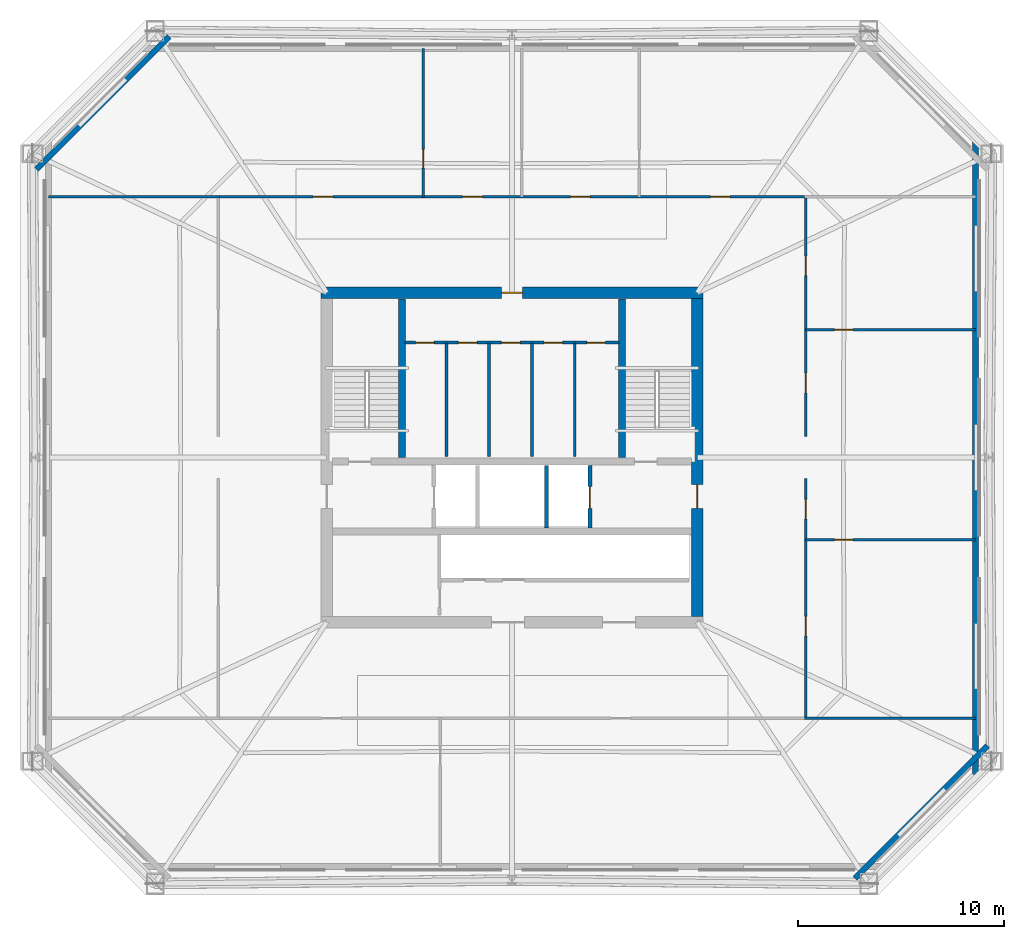
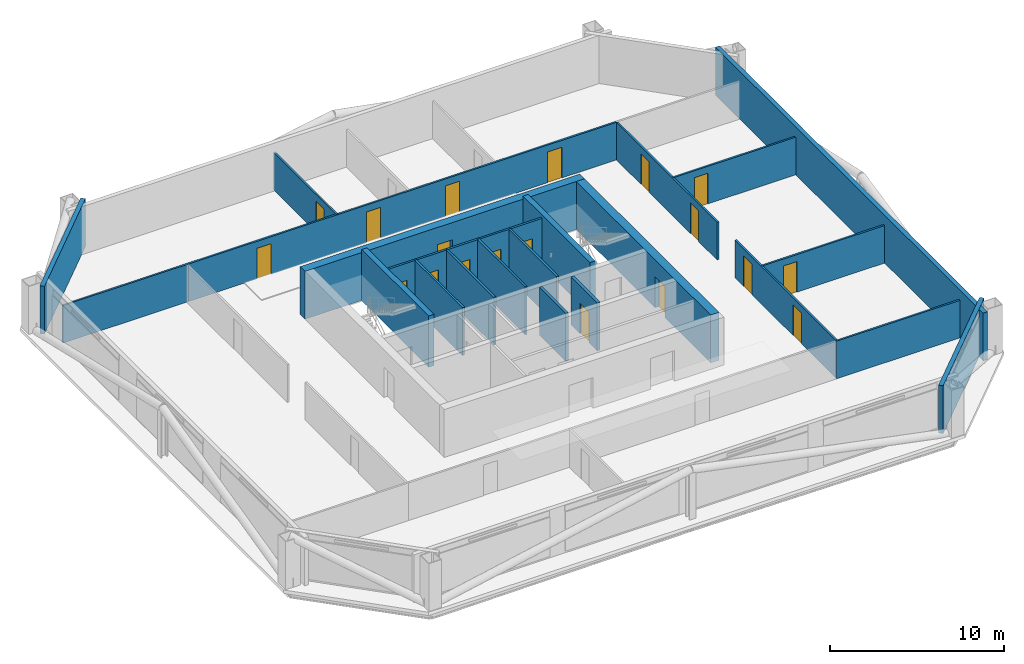
# One storey, part 3 of 6: 22 walls, 19 doors, 19 openings.
"""IFC4 building model written with IfcOpenShell, lengths in metres."""

from ifc_helpers import new_model, si_unit, direction, frame, frame_2d, origin, place, context, subcontext, project, spatial, rectangle, extrude, material, layer, layer_set, type_object, element, fill, save


model = new_model("IFC4")

# Units and contexts
model_context = context("Model", 3, precision=1e-05, world=origin(), true_north=direction((0.0, 1.0)))
body_context = subcontext(model_context, "Body", "Model", "MODEL_VIEW")
ifc_project = project(units=[si_unit("LENGTHUNIT", "METRE"), si_unit("AREAUNIT", "SQUARE_METRE"), si_unit("VOLUMEUNIT", "CUBIC_METRE"), si_unit("PLANEANGLEUNIT", "RADIAN"), si_unit("MASSUNIT", "GRAM", prefix="KILO")], contexts=[model_context])

# Site, building, storey
site_placement = place(None, origin())
site = spatial("IfcSite", under=ifc_project, at=site_placement, CompositionType="ELEMENT")
building_placement = place(site_placement, origin())
building = spatial("IfcBuilding", under=site, at=building_placement, Name="Caelvoria Tower", CompositionType="ELEMENT")
storey_placement = place(building_placement, frame((0.0, 0.0, 127.60009765625)))
storey = spatial("IfcBuildingStorey", under=building, at=storey_placement, Name="L33", CompositionType="ELEMENT", Elevation=127.60009765625)

# Walls
ifc_material_1 = material(Name="Concrete C50/60", Category="concrete")
ifc_layer_1 = layer(ifc_material_1, 0.35009765625, Name="Concrete C50/60")
ifc_layer_set_1 = layer_set([ifc_layer_1], Name="Core Internal Shear Wall 350 - Concrete C50/60")
wall_type_1 = type_object("IfcWallType", Name="Core Internal Shear Wall 350", PredefinedType="SHEAR", material=ifc_layer_set_1)
for number, where, z_axis, x_axis, name in (
    (1, (40.64990234375, 32.0, 0.0), (0.0, 0.0, 1.0), (0.0, 1.0, 0.0), "Interior Partition IW-L33-ST1E"),
    (2, (51.35009765625, 32.0, 0.0), (0.0, 0.0, 1.0), (0.0, 1.0, 0.0), "Interior Partition IW-L33-ST2W"),
):
    element("IfcWall", number, at=place(storey_placement, frame(where, z_axis=z_axis, x_axis=x_axis)), inside=storey, type_object=wall_type_1, Name=name, PredefinedType="SHEAR", context=body_context, shape_type="SweptSolid", body=[
        extrude(rectangle(XDim=7.699951171875, YDim=0.35009765625, at=frame_2d((3.85009765625, 0.0))), origin(), (0.0, 0.0, 1.0), 3.599853515625),
    ])
ifc_material_2 = material(Name="Moisture-Resistant Gypsum on Steel Stud", Category="steel")
ifc_layer_2 = layer(ifc_material_2, 0.139892578125, Name="Moisture-Resistant Gypsum on Steel Stud")
ifc_layer_set_2 = layer_set([ifc_layer_2], Name="Core Sanitary Acoustic Partition Wall 140 - Moisture-Resistant Gypsum on Steel Stud")
wall_type_2 = type_object("IfcWallType", Name="Core Sanitary Acoustic Partition Wall 140", PredefinedType="PARTITIONING", material=ifc_layer_set_2)
for number, where, z_axis, x_axis, name in (
    (3, (42.81005859375, 32.050048828125, 0.0), (0.0, 0.0, 1.0), (0.0, 1.0, 0.0), "Interior Partition IW-L33-C1V0"),
    (4, (44.889892578125, 32.050048828125, 0.0), (0.0, 0.0, 1.0), (0.0, 1.0, 0.0), "Interior Partition IW-L33-C1V1"),
    (5, (46.969970703125, 32.050048828125, 0.0), (0.0, 0.0, 1.0), (0.0, 1.0, 0.0), "Interior Partition IW-L33-C1V2"),
    (6, (49.050048828125, 32.050048828125, 0.0), (0.0, 0.0, 1.0), (0.0, 1.0, 0.0), "Interior Partition IW-L33-C1V3"),
):
    element("IfcWall", number, at=place(storey_placement, frame(where, z_axis=z_axis, x_axis=x_axis)), inside=storey, type_object=wall_type_2, Name=name, PredefinedType="PARTITIONING", context=body_context, shape_type="SweptSolid", body=[
        extrude(rectangle(XDim=5.5, YDim=0.139892578125, at=frame_2d((2.75, 0.0))), origin(), (0.0, 0.0, 1.0), 3.35986328125),
    ])

# Wall, openings, doors
wall_1_placement = place(storey_placement, frame((40.800048828125, 37.580078125, 0.0), z_axis=(0.0, 0.0, 1.0), x_axis=(1.0, 0.0, 0.0)))
wall_1 = element("IfcWall", 7, at=wall_1_placement, inside=storey, type_object=wall_type_2, Name="Interior Partition IW-L33-C1H", PredefinedType="PARTITIONING", context=body_context, shape_type="SweptSolid", body=[
    extrude(rectangle(XDim=10.39990234375, YDim=0.139892578125, at=frame_2d((5.199951171875, 0.0))), origin(), (0.0, 0.0, 1.0), 3.35986328125),
])
opening_1_placement = place(wall_1_placement, frame((0.52001953125, 0.0, 0.0)))
opening_1 = element("IfcOpeningElement", 8, at=opening_1_placement, cuts=wall_1, Name="Opening ID-06", PredefinedType="OPENING", context=body_context, shape_type="SweptSolid", body=[
    extrude(rectangle(XDim=0.89990234375, YDim=2.14990234375, at=frame_2d((0.449951171875, 1.074951171875))), frame((0.0, 0.079833984375, 0.0), z_axis=(0.0, -1.0, 0.0), x_axis=(1.0, 0.0, 0.0)), (0.0, 0.0, 1.0), 0.159912109375),
])
opening_2_placement = place(wall_1_placement, frame((2.60009765625, 0.0, 0.0)))
opening_2 = element("IfcOpeningElement", 9, at=opening_2_placement, cuts=wall_1, Name="Opening ID-06", PredefinedType="OPENING", context=body_context, shape_type="SweptSolid", body=[
    extrude(rectangle(XDim=0.89990234375, YDim=2.14990234375, at=frame_2d((0.449951171875, 1.074951171875))), frame((0.0, 0.079833984375, 0.0), z_axis=(0.0, -1.0, 0.0), x_axis=(1.0, 0.0, 0.0)), (0.0, 0.0, 1.0), 0.159912109375),
])
opening_3_placement = place(wall_1_placement, frame((4.679931640625, 0.0, 0.0)))
opening_3 = element("IfcOpeningElement", 10, at=opening_3_placement, cuts=wall_1, Name="Opening ID-07", PredefinedType="OPENING", context=body_context, shape_type="SweptSolid", body=[
    extrude(rectangle(XDim=0.919921875, YDim=2.14990234375, at=frame_2d((0.4599609375, 1.074951171875))), frame((0.0, 0.079833984375, 0.0), z_axis=(0.0, -1.0, 0.0), x_axis=(1.0, 0.0, 0.0)), (0.0, 0.0, 1.0), 0.159912109375),
])
opening_4_placement = place(wall_1_placement, frame((6.760009765625, 0.0, 0.0)))
opening_4 = element("IfcOpeningElement", 11, at=opening_4_placement, cuts=wall_1, Name="Opening ID-06", PredefinedType="OPENING", context=body_context, shape_type="SweptSolid", body=[
    extrude(rectangle(XDim=0.89990234375, YDim=2.14990234375, at=frame_2d((0.449951171875, 1.074951171875))), frame((0.0, 0.079833984375, 0.0), z_axis=(0.0, -1.0, 0.0), x_axis=(1.0, 0.0, 0.0)), (0.0, 0.0, 1.0), 0.159912109375),
])
opening_5_placement = place(wall_1_placement, frame((8.840087890625, 0.0, 0.0)))
opening_5 = element("IfcOpeningElement", 12, at=opening_5_placement, cuts=wall_1, Name="Opening ID-06", PredefinedType="OPENING", context=body_context, shape_type="SweptSolid", body=[
    extrude(rectangle(XDim=0.89990234375, YDim=2.14990234375, at=frame_2d((0.449951171875, 1.074951171875))), frame((0.0, 0.079833984375, 0.0), z_axis=(0.0, -1.0, 0.0), x_axis=(1.0, 0.0, 0.0)), (0.0, 0.0, 1.0), 0.159912109375),
])
ifc_material_3 = material(Name="Engineered Andean Oak Accessible Door", Category="wood")
door_type_1 = type_object("IfcDoorType", Name="Accessible WC Door 950x2150", OperationType="NOTDEFINED", PredefinedType="DOOR", material=ifc_material_3)
door_1_placement = place(opening_3_placement, origin())
door_1 = element("IfcDoor", 13, at=door_1_placement, inside=storey, type_object=door_type_1, Name="Interior Door DR-L33-C1-3", OperationType="SINGLE_SWING_LEFT", OverallHeight=2.14990234375, OverallWidth=0.919921875, PredefinedType="DOOR", context=body_context, shape_type="SweptSolid", body=[
    extrude(rectangle(XDim=0.919921875, YDim=2.14990234375, at=frame_2d((0.4599609375, 1.074951171875))), frame((0.0, 0.02490234375, 0.0), z_axis=(0.0, -1.0, 0.0), x_axis=(1.0, 0.0, 0.0)), (0.0, 0.0, 1.0), 0.050048828125),
])
fill(opening_3, door_1)
ifc_material_4 = material(Name="Engineered Andean Oak Veneer Door", Category="wood")
door_type_2 = type_object("IfcDoorType", Name="Interior Timber Door 900x2150", OperationType="NOTDEFINED", PredefinedType="DOOR", material=ifc_material_4)
door_2_placement = place(opening_1_placement, origin())
door_2 = element("IfcDoor", 14, at=door_2_placement, inside=storey, type_object=door_type_2, Name="Interior Door DR-L33-C1-1", OperationType="SINGLE_SWING_LEFT", OverallHeight=2.14990234375, OverallWidth=0.89990234375, PredefinedType="DOOR", context=body_context, shape_type="SweptSolid", body=[
    extrude(rectangle(XDim=0.89990234375, YDim=2.14990234375, at=frame_2d((0.449951171875, 1.074951171875))), frame((0.0, 0.02490234375, 0.0), z_axis=(0.0, -1.0, 0.0), x_axis=(1.0, 0.0, 0.0)), (0.0, 0.0, 1.0), 0.050048828125),
])
fill(opening_1, door_2)
door_3_placement = place(opening_2_placement, origin())
door_3 = element("IfcDoor", 15, at=door_3_placement, inside=storey, type_object=door_type_2, Name="Interior Door DR-L33-C1-2", OperationType="SINGLE_SWING_RIGHT", OverallHeight=2.14990234375, OverallWidth=0.89990234375, PredefinedType="DOOR", context=body_context, shape_type="SweptSolid", body=[
    extrude(rectangle(XDim=0.89990234375, YDim=2.14990234375, at=frame_2d((0.449951171875, 1.074951171875))), frame((0.0, 0.02490234375, 0.0), z_axis=(0.0, -1.0, 0.0), x_axis=(1.0, 0.0, 0.0)), (0.0, 0.0, 1.0), 0.050048828125),
])
fill(opening_2, door_3)
door_4_placement = place(opening_4_placement, origin())
door_4 = element("IfcDoor", 16, at=door_4_placement, inside=storey, type_object=door_type_2, Name="Interior Door DR-L33-C1-4", OperationType="SINGLE_SWING_RIGHT", OverallHeight=2.14990234375, OverallWidth=0.89990234375, PredefinedType="DOOR", context=body_context, shape_type="SweptSolid", body=[
    extrude(rectangle(XDim=0.89990234375, YDim=2.14990234375, at=frame_2d((0.449951171875, 1.074951171875))), frame((0.0, 0.02490234375, 0.0), z_axis=(0.0, -1.0, 0.0), x_axis=(1.0, 0.0, 0.0)), (0.0, 0.0, 1.0), 0.050048828125),
])
fill(opening_4, door_4)
door_5_placement = place(opening_5_placement, origin())
door_5 = element("IfcDoor", 17, at=door_5_placement, inside=storey, type_object=door_type_2, Name="Interior Door DR-L33-C1-5", OperationType="SINGLE_SWING_LEFT", OverallHeight=2.14990234375, OverallWidth=0.89990234375, PredefinedType="DOOR", context=body_context, shape_type="SweptSolid", body=[
    extrude(rectangle(XDim=0.89990234375, YDim=2.14990234375, at=frame_2d((0.449951171875, 1.074951171875))), frame((0.0, 0.02490234375, 0.0), z_axis=(0.0, -1.0, 0.0), x_axis=(1.0, 0.0, 0.0)), (0.0, 0.0, 1.0), 0.050048828125),
])
fill(opening_5, door_5)

# Walls
ifc_material_5 = material(Name="Precast Concrete C40/50 with Bronze Cladding", Category="concrete")
ifc_layer_3 = layer(ifc_material_5, 0.280029296875, Name="Precast Concrete C40/50 with Bronze Cladding")
ifc_layer_set_3 = layer_set([ifc_layer_3], Name="Exterior Precast Concrete C40/50 Bronze-Clad Facade Wall 280 - Precast Concrete C40/50 with Bronze Cladding")
wall_type_3 = type_object("IfcWallType", Name="Exterior Precast Concrete C40/50 Bronze-Clad Facade Wall 280", PredefinedType="STANDARD", material=ifc_layer_set_3)
wall_2_placement = place(storey_placement, frame((62.654541015625, 11.55615234375, 0.0), z_axis=(0.0, 0.0, 1.0), x_axis=(0.707106781187, 0.707106781187, 0.0)))
element("IfcWall", 18, at=wall_2_placement, inside=storey, type_object=wall_type_3, Name="Exterior Facade Wall L33-E1", PredefinedType="STANDARD", context=body_context, shape_type="SweptSolid", body=[
    extrude(rectangle(XDim=9.106689453125, YDim=0.280029296875, at=frame_2d((4.55322265625, 0.0))), origin(), (0.0, 0.0, 1.0), 3.35986328125),
])
wall_3_placement = place(storey_placement, frame((68.52001953125, 16.610107421875, 0.0), z_axis=(0.0, 0.0, 1.0), x_axis=(0.0, 1.0, 0.0)))
element("IfcWall", 19, at=wall_3_placement, inside=storey, type_object=wall_type_3, Name="Exterior Facade Wall L33-E2", PredefinedType="STANDARD", context=body_context, shape_type="SweptSolid", body=[
    extrude(rectangle(XDim=30.77978515625, YDim=0.280029296875, at=frame_2d((15.389892578125, 0.0))), origin(), (0.0, 0.0, 1.0), 3.35986328125),
])
wall_4_placement = place(storey_placement, frame((29.345458984375, 52.44384765625, 0.0), z_axis=(0.0, 0.0, 1.0), x_axis=(-0.707106781187, -0.707106781187, 0.0)))
element("IfcWall", 20, at=wall_4_placement, inside=storey, type_object=wall_type_3, Name="Exterior Facade Wall L33-E5", PredefinedType="STANDARD", context=body_context, shape_type="SweptSolid", body=[
    extrude(rectangle(XDim=9.106689453125, YDim=0.280029296875, at=frame_2d((4.55322265625, 0.0))), origin(), (0.0, 0.0, 1.0), 3.35986328125),
])
ifc_material_6 = material(Name="Concrete Block and Fireboard Assembly", Category="concrete")
ifc_layer_4 = layer(ifc_material_6, 0.179931640625, Name="Concrete Block and Fireboard Assembly")
ifc_layer_set_4 = layer_set([ifc_layer_4], Name="Fire-Rated Hoistway Partition Wall 180 - Concrete Block and Fireboard Assembly")
wall_type_4 = type_object("IfcWallType", Name="Fire-Rated Hoistway Partition Wall 180", PredefinedType="PARTITIONING", material=ifc_layer_set_4)
wall_5_placement = place(storey_placement, frame((47.679931640625, 28.580078125, 0.0), z_axis=(0.0, 0.0, 1.0), x_axis=(0.0, 1.0, 0.0)))
element("IfcWall", 21, at=wall_5_placement, inside=storey, type_object=wall_type_4, Name="Interior Partition IW-L33-SV1E", PredefinedType="PARTITIONING", context=body_context, shape_type="SweptSolid", body=[
    extrude(rectangle(XDim=3.0400390625, YDim=0.179931640625, at=frame_2d((1.52001953125, 0.0))), origin(), (0.0, 0.0, 1.0), 3.35986328125),
])

# Wall, opening, door
ifc_layer_5 = layer(ifc_material_6, 0.199951171875, Name="Concrete Block and Fireboard Assembly")
ifc_layer_set_5 = layer_set([ifc_layer_5], Name="Fire-Rated Shaft and Core Partition Wall 200 - Concrete Block and Fireboard Assembly")
wall_type_5 = type_object("IfcWallType", Name="Fire-Rated Shaft and Core Partition Wall 200", PredefinedType="PARTITIONING", material=ifc_layer_set_5)
wall_6_placement = place(storey_placement, frame((49.780029296875, 28.580078125, 0.0), z_axis=(0.0, 0.0, 1.0), x_axis=(0.0, 1.0, 0.0)))
wall_6 = element("IfcWall", 22, at=wall_6_placement, inside=storey, type_object=wall_type_5, Name="Interior Partition IW-L33-LF2E", PredefinedType="PARTITIONING", context=body_context, shape_type="SweptSolid", body=[
    extrude(rectangle(XDim=3.0400390625, YDim=0.199951171875, at=frame_2d((1.52001953125, 0.0))), origin(), (0.0, 0.0, 1.0), 3.35986328125),
])
opening_6_placement = place(wall_6_placement, frame((0.949951171875, 0.0, 0.0)))
opening_6 = element("IfcOpeningElement", 23, at=opening_6_placement, cuts=wall_6, Name="Opening LD-01", PredefinedType="OPENING", context=body_context, shape_type="SweptSolid", body=[
    extrude(rectangle(XDim=1.050048828125, YDim=2.14990234375, at=frame_2d((0.52490234375, 1.074951171875))), frame((0.0, 0.10986328125, 0.0), z_axis=(0.0, -1.0, 0.0), x_axis=(1.0, 0.0, 0.0)), (0.0, 0.0, 1.0), 0.219970703125),
])
ifc_material_7 = material(Name="Brushed Bronze Stainless Sliding Landing Door", Category="aluminium")
door_type_3 = type_object("IfcDoorType", Name="Lift Landing Sliding Door 1100x2150", OperationType="NOTDEFINED", PredefinedType="DOOR", material=ifc_material_7)
door_6_placement = place(opening_6_placement, origin())
door_6 = element("IfcDoor", 24, at=door_6_placement, inside=storey, type_object=door_type_3, Name="Interior Door LD-L33-LF2", OperationType="SLIDING_TO_RIGHT", OverallHeight=2.14990234375, OverallWidth=1.050048828125, PredefinedType="DOOR", context=body_context, shape_type="SweptSolid", body=[
    extrude(rectangle(XDim=1.050048828125, YDim=2.14990234375, at=frame_2d((0.52490234375, 1.074951171875))), frame((0.0, 0.02490234375, 0.0), z_axis=(0.0, -1.0, 0.0), x_axis=(1.0, 0.0, 0.0)), (0.0, 0.0, 1.0), 0.050048828125),
])
fill(opening_6, door_6)

ifc_material_8 = material(Name="Concrete C55/67", Category="concrete")
ifc_layer_6 = layer(ifc_material_8, 0.550048828125, Name="Concrete C55/67")
ifc_layer_set_6 = layer_set([ifc_layer_6], Name="Mid Core Shear Wall 550 - Concrete C55/67")
wall_type_6 = type_object("IfcWallType", Name="Mid Core Shear Wall 550", PredefinedType="SHEAR", material=ifc_layer_set_6)
wall_7_placement = place(storey_placement, frame((36.72509765625, 40.0, 0.0), z_axis=(0.0, 0.0, 1.0), x_axis=(1.0, 0.0, 0.0)))
wall_7 = element("IfcWall", 25, at=wall_7_placement, inside=storey, type_object=wall_type_6, Name="Core Shear Wall L33 N", PredefinedType="SHEAR", context=body_context, shape_type="SweptSolid", body=[
    extrude(rectangle(XDim=18.5498046875, YDim=0.550048828125, at=frame_2d((9.27490234375, 0.0))), origin(), (0.0, 0.0, 1.0), 3.35986328125),
])
opening_7_placement = place(wall_7_placement, frame((8.77490234375, 0.0, 0.0)))
opening_7 = element("IfcOpeningElement", 26, at=opening_7_placement, cuts=wall_7, Name="Opening ID-03", PredefinedType="OPENING", context=body_context, shape_type="SweptSolid", body=[
    extrude(rectangle(XDim=1.0, YDim=2.14990234375, at=frame_2d((0.5, 1.074951171875))), frame((0.0, 0.284912109375, 0.0), z_axis=(0.0, -1.0, 0.0), x_axis=(1.0, 0.0, 0.0)), (0.0, 0.0, 1.0), 0.570068359375),
])
ifc_material_9 = material(Name="Painted Hollow Steel Fire Door", Category="steel")
door_type_4 = type_object("IfcDoorType", Name="Fire Door FD60S 1000x2150", OperationType="NOTDEFINED", PredefinedType="DOOR", material=ifc_material_9)
door_7_placement = place(opening_7_placement, origin())
door_7 = element("IfcDoor", 27, at=door_7_placement, inside=storey, type_object=door_type_4, Name="Core Door DR-L33-WC-MAIN", OperationType="SINGLE_SWING_RIGHT", OverallHeight=2.14990234375, OverallWidth=1.0, PredefinedType="DOOR", context=body_context, shape_type="SweptSolid", body=[
    extrude(rectangle(XDim=1.0, YDim=2.14990234375, at=frame_2d((0.5, 1.074951171875))), frame((0.0, 0.02490234375, 0.0), z_axis=(0.0, -1.0, 0.0), x_axis=(1.0, 0.0, 0.0)), (0.0, 0.0, 1.0), 0.050048828125),
])
fill(opening_7, door_7)

wall_8_placement = place(storey_placement, frame((55.0, 24.27490234375, 0.0), z_axis=(0.0, 0.0, 1.0), x_axis=(0.0, 1.0, 0.0)))
wall_8 = element("IfcWall", 28, at=wall_8_placement, inside=storey, type_object=wall_type_6, Name="Core Shear Wall L33 E", PredefinedType="SHEAR", context=body_context, shape_type="SweptSolid", body=[
    extrude(rectangle(XDim=15.4501953125, YDim=0.550048828125, at=frame_2d((7.72509765625, 0.0))), origin(), (0.0, 0.0, 1.0), 3.35986328125),
])
opening_8_placement = place(wall_8_placement, frame((5.25, 0.0, 0.0)))
opening_8 = element("IfcOpeningElement", 29, at=opening_8_placement, cuts=wall_8, Name="Opening ID-02", PredefinedType="OPENING", context=body_context, shape_type="SweptSolid", body=[
    extrude(rectangle(XDim=1.14990234375, YDim=2.14990234375, at=frame_2d((0.574951171875, 1.074951171875))), frame((0.0, 0.284912109375, 0.0), z_axis=(0.0, -1.0, 0.0), x_axis=(1.0, 0.0, 0.0)), (0.0, 0.0, 1.0), 0.570068359375),
])
door_type_5 = type_object("IfcDoorType", Name="Fire Door FD60S 1150x2150", OperationType="NOTDEFINED", PredefinedType="DOOR", material=ifc_material_9)
door_8_placement = place(opening_8_placement, origin())
door_8 = element("IfcDoor", 30, at=door_8_placement, inside=storey, type_object=door_type_5, Name="Core Door DR-L33-FFLE-OUT", OperationType="SINGLE_SWING_RIGHT", OverallHeight=2.14990234375, OverallWidth=1.14990234375, PredefinedType="DOOR", context=body_context, shape_type="SweptSolid", body=[
    extrude(rectangle(XDim=1.14990234375, YDim=2.14990234375, at=frame_2d((0.574951171875, 1.074951171875))), frame((0.0, 0.02490234375, 0.0), z_axis=(0.0, -1.0, 0.0), x_axis=(1.0, 0.0, 0.0)), (0.0, 0.0, 1.0), 0.050048828125),
])
fill(opening_8, door_8)

ifc_material_10 = material(Name="Acoustic Gypsum Board on Light-Gauge Stud", Category="gypsum")
ifc_layer_7 = layer(ifc_material_10, 0.1201171875, Name="Acoustic Gypsum Board on Light-Gauge Stud")
ifc_layer_set_7 = layer_set([ifc_layer_7], Name="Tenant Suite Acoustic Partition Wall 120 - Acoustic Gypsum Board on Light-Gauge Stud")
wall_type_7 = type_object("IfcWallType", Name="Tenant Suite Acoustic Partition Wall 120", PredefinedType="PARTITIONING", material=ifc_layer_set_7)
wall_9_placement = place(storey_placement, frame((41.697265625, 44.659912109375, 0.0), z_axis=(0.0, 0.0, 1.0), x_axis=(0.0, 1.0, 0.0)))
wall_9 = element("IfcWall", 31, at=wall_9_placement, inside=storey, type_object=wall_type_7, Name="Interior Partition IW-L33-ND-00-0", PredefinedType="PARTITIONING", context=body_context, shape_type="SweptSolid", body=[
    extrude(rectangle(XDim=7.210205078125, YDim=0.1201171875, at=frame_2d((3.60498046875, 0.0))), origin(), (0.0, 0.0, 1.0), 2.639892578125),
])
opening_9_placement = place(wall_9_placement, frame((1.39990234375, 0.0, 0.0)))
opening_9 = element("IfcOpeningElement", 32, at=opening_9_placement, cuts=wall_9, Name="Opening ID-06", PredefinedType="OPENING", context=body_context, shape_type="SweptSolid", body=[
    extrude(rectangle(XDim=0.89990234375, YDim=2.14990234375, at=frame_2d((0.449951171875, 1.074951171875))), frame((0.0, 0.070068359375, 0.0), z_axis=(0.0, -1.0, 0.0), x_axis=(1.0, 0.0, 0.0)), (0.0, 0.0, 1.0), 0.14013671875),
])
door_9_placement = place(opening_9_placement, origin())
door_9 = element("IfcDoor", 33, at=door_9_placement, inside=storey, type_object=door_type_2, Name="Interior Door DR-L33-NM-00-0", OperationType="SINGLE_SWING_RIGHT", OverallHeight=2.14990234375, OverallWidth=0.89990234375, PredefinedType="DOOR", context=body_context, shape_type="SweptSolid", body=[
    extrude(rectangle(XDim=0.89990234375, YDim=2.14990234375, at=frame_2d((0.449951171875, 1.074951171875))), frame((0.0, 0.02490234375, 0.0), z_axis=(0.0, -1.0, 0.0), x_axis=(1.0, 0.0, 0.0)), (0.0, 0.0, 1.0), 0.050048828125),
])
fill(opening_9, door_9)

# Wall, openings, doors
wall_10_placement = place(storey_placement, frame((31.800048828125, 44.659912109375, 0.0), z_axis=(0.0, 0.0, 1.0), x_axis=(1.0, 0.0, 0.0)))
wall_10 = element("IfcWall", 34, at=wall_10_placement, inside=storey, type_object=wall_type_7, Name="Interior Partition IW-L33-NCW-0", PredefinedType="PARTITIONING", context=body_context, shape_type="SweptSolid", body=[
    extrude(rectangle(XDim=28.39990234375, YDim=0.1201171875, at=frame_2d((14.199951171875, 0.0))), origin(), (0.0, 0.0, 1.0), 2.639892578125),
])
opening_10_placement = place(wall_10_placement, frame((4.543701171875, 0.0, 0.0)))
opening_10 = element("IfcOpeningElement", 35, at=opening_10_placement, cuts=wall_10, Name="Opening ID-05", PredefinedType="OPENING", context=body_context, shape_type="SweptSolid", body=[
    extrude(rectangle(XDim=0.949951171875, YDim=2.14990234375, at=frame_2d((0.47509765625, 1.074951171875))), frame((0.0, 0.070068359375, 0.0), z_axis=(0.0, -1.0, 0.0), x_axis=(1.0, 0.0, 0.0)), (0.0, 0.0, 1.0), 0.14013671875),
])
opening_11_placement = place(wall_10_placement, frame((11.806884765625, 0.0, 0.0)))
opening_11 = element("IfcOpeningElement", 36, at=opening_11_placement, cuts=wall_10, Name="Opening ID-05", PredefinedType="OPENING", context=body_context, shape_type="SweptSolid", body=[
    extrude(rectangle(XDim=0.949951171875, YDim=2.14990234375, at=frame_2d((0.47509765625, 1.074951171875))), frame((0.0, 0.070068359375, 0.0), z_axis=(0.0, -1.0, 0.0), x_axis=(1.0, 0.0, 0.0)), (0.0, 0.0, 1.0), 0.14013671875),
])
opening_12_placement = place(wall_10_placement, frame((17.048095703125, 0.0, 0.0)))
opening_12 = element("IfcOpeningElement", 37, at=opening_12_placement, cuts=wall_10, Name="Opening ID-05", PredefinedType="OPENING", context=body_context, shape_type="SweptSolid", body=[
    extrude(rectangle(XDim=0.949951171875, YDim=2.14990234375, at=frame_2d((0.47509765625, 1.074951171875))), frame((0.0, 0.070068359375, 0.0), z_axis=(0.0, -1.0, 0.0), x_axis=(1.0, 0.0, 0.0)), (0.0, 0.0, 1.0), 0.14013671875),
])
opening_13_placement = place(wall_10_placement, frame((23.8447265625, 0.0, 0.0)))
opening_13 = element("IfcOpeningElement", 38, at=opening_13_placement, cuts=wall_10, Name="Opening ID-05", PredefinedType="OPENING", context=body_context, shape_type="SweptSolid", body=[
    extrude(rectangle(XDim=0.949951171875, YDim=2.14990234375, at=frame_2d((0.47509765625, 1.074951171875))), frame((0.0, 0.070068359375, 0.0), z_axis=(0.0, -1.0, 0.0), x_axis=(1.0, 0.0, 0.0)), (0.0, 0.0, 1.0), 0.14013671875),
])
door_type_6 = type_object("IfcDoorType", Name="Interior Timber Door 950x2150", OperationType="NOTDEFINED", PredefinedType="DOOR", material=ifc_material_4)
door_10_placement = place(opening_10_placement, origin())
door_10 = element("IfcDoor", 39, at=door_10_placement, inside=storey, type_object=door_type_6, Name="Interior Door DR-L33-NC-00-0", OperationType="SINGLE_SWING_RIGHT", OverallHeight=2.14990234375, OverallWidth=0.949951171875, PredefinedType="DOOR", context=body_context, shape_type="SweptSolid", body=[
    extrude(rectangle(XDim=0.949951171875, YDim=2.14990234375, at=frame_2d((0.47509765625, 1.074951171875))), frame((0.0, 0.02490234375, 0.0), z_axis=(0.0, -1.0, 0.0), x_axis=(1.0, 0.0, 0.0)), (0.0, 0.0, 1.0), 0.050048828125),
])
fill(opening_10, door_10)
door_11_placement = place(opening_11_placement, origin())
door_11 = element("IfcDoor", 40, at=door_11_placement, inside=storey, type_object=door_type_6, Name="Interior Door DR-L33-NC-01-0", OperationType="SINGLE_SWING_LEFT", OverallHeight=2.14990234375, OverallWidth=0.949951171875, PredefinedType="DOOR", context=body_context, shape_type="SweptSolid", body=[
    extrude(rectangle(XDim=0.949951171875, YDim=2.14990234375, at=frame_2d((0.47509765625, 1.074951171875))), frame((0.0, 0.02490234375, 0.0), z_axis=(0.0, -1.0, 0.0), x_axis=(1.0, 0.0, 0.0)), (0.0, 0.0, 1.0), 0.050048828125),
])
fill(opening_11, door_11)
door_12_placement = place(opening_12_placement, origin())
door_12 = element("IfcDoor", 41, at=door_12_placement, inside=storey, type_object=door_type_6, Name="Interior Door DR-L33-NC-02-0", OperationType="SINGLE_SWING_RIGHT", OverallHeight=2.14990234375, OverallWidth=0.949951171875, PredefinedType="DOOR", context=body_context, shape_type="SweptSolid", body=[
    extrude(rectangle(XDim=0.949951171875, YDim=2.14990234375, at=frame_2d((0.47509765625, 1.074951171875))), frame((0.0, 0.02490234375, 0.0), z_axis=(0.0, -1.0, 0.0), x_axis=(1.0, 0.0, 0.0)), (0.0, 0.0, 1.0), 0.050048828125),
])
fill(opening_12, door_12)
door_13_placement = place(opening_13_placement, origin())
door_13 = element("IfcDoor", 42, at=door_13_placement, inside=storey, type_object=door_type_6, Name="Interior Door DR-L33-NC-03-0", OperationType="SINGLE_SWING_LEFT", OverallHeight=2.14990234375, OverallWidth=0.949951171875, PredefinedType="DOOR", context=body_context, shape_type="SweptSolid", body=[
    extrude(rectangle(XDim=0.949951171875, YDim=2.14990234375, at=frame_2d((0.47509765625, 1.074951171875))), frame((0.0, 0.02490234375, 0.0), z_axis=(0.0, -1.0, 0.0), x_axis=(1.0, 0.0, 0.0)), (0.0, 0.0, 1.0), 0.050048828125),
])
fill(opening_13, door_13)

# Wall, opening, door
wall_11_placement = place(storey_placement, frame((60.260009765625, 28.0, 0.0), z_axis=(0.0, 0.0, 1.0), x_axis=(1.0, 0.0, 0.0)))
wall_11 = element("IfcWall", 43, at=wall_11_placement, inside=storey, type_object=wall_type_7, Name="Interior Partition IW-L33-ED-00-0", PredefinedType="PARTITIONING", context=body_context, shape_type="SweptSolid", body=[
    extrude(rectangle(XDim=8.260009765625, YDim=0.1201171875, at=frame_2d((4.1298828125, 0.0))), origin(), (0.0, 0.0, 1.0), 2.639892578125),
])
opening_14_placement = place(wall_11_placement, frame((1.39990234375, 0.0, 0.0)))
opening_14 = element("IfcOpeningElement", 44, at=opening_14_placement, cuts=wall_11, Name="Opening ID-06", PredefinedType="OPENING", context=body_context, shape_type="SweptSolid", body=[
    extrude(rectangle(XDim=0.89990234375, YDim=2.14990234375, at=frame_2d((0.449951171875, 1.074951171875))), frame((0.0, 0.070068359375, 0.0), z_axis=(0.0, -1.0, 0.0), x_axis=(1.0, 0.0, 0.0)), (0.0, 0.0, 1.0), 0.14013671875),
])
door_14_placement = place(opening_14_placement, origin())
door_14 = element("IfcDoor", 45, at=door_14_placement, inside=storey, type_object=door_type_2, Name="Interior Door DR-L33-EM-00-0", OperationType="SINGLE_SWING_RIGHT", OverallHeight=2.14990234375, OverallWidth=0.89990234375, PredefinedType="DOOR", context=body_context, shape_type="SweptSolid", body=[
    extrude(rectangle(XDim=0.89990234375, YDim=2.14990234375, at=frame_2d((0.449951171875, 1.074951171875))), frame((0.0, 0.02490234375, 0.0), z_axis=(0.0, -1.0, 0.0), x_axis=(1.0, 0.0, 0.0)), (0.0, 0.0, 1.0), 0.050048828125),
])
fill(opening_14, door_14)

wall_12_placement = place(storey_placement, frame((60.260009765625, 38.2119140625, 0.0), z_axis=(0.0, 0.0, 1.0), x_axis=(1.0, 0.0, 0.0)))
wall_12 = element("IfcWall", 46, at=wall_12_placement, inside=storey, type_object=wall_type_7, Name="Interior Partition IW-L33-ED-01-0", PredefinedType="PARTITIONING", context=body_context, shape_type="SweptSolid", body=[
    extrude(rectangle(XDim=8.260009765625, YDim=0.1201171875, at=frame_2d((4.1298828125, 0.0))), origin(), (0.0, 0.0, 1.0), 2.639892578125),
])
opening_15_placement = place(wall_12_placement, frame((1.39990234375, 0.0, 0.0)))
opening_15 = element("IfcOpeningElement", 47, at=opening_15_placement, cuts=wall_12, Name="Opening ID-06", PredefinedType="OPENING", context=body_context, shape_type="SweptSolid", body=[
    extrude(rectangle(XDim=0.89990234375, YDim=2.14990234375, at=frame_2d((0.449951171875, 1.074951171875))), frame((0.0, 0.070068359375, 0.0), z_axis=(0.0, -1.0, 0.0), x_axis=(1.0, 0.0, 0.0)), (0.0, 0.0, 1.0), 0.14013671875),
])
door_15_placement = place(opening_15_placement, origin())
door_15 = element("IfcDoor", 48, at=door_15_placement, inside=storey, type_object=door_type_2, Name="Interior Door DR-L33-EM-01-0", OperationType="SINGLE_SWING_LEFT", OverallHeight=2.14990234375, OverallWidth=0.89990234375, PredefinedType="DOOR", context=body_context, shape_type="SweptSolid", body=[
    extrude(rectangle(XDim=0.89990234375, YDim=2.14990234375, at=frame_2d((0.449951171875, 1.074951171875))), frame((0.0, 0.02490234375, 0.0), z_axis=(0.0, -1.0, 0.0), x_axis=(1.0, 0.0, 0.0)), (0.0, 0.0, 1.0), 0.050048828125),
])
fill(opening_15, door_15)

# Wall, openings, doors
wall_13_placement = place(storey_placement, frame((60.260009765625, 19.39990234375, 0.0), z_axis=(0.0, 0.0, 1.0), x_axis=(0.0, 1.0, 0.0)))
wall_13 = element("IfcWall", 49, at=wall_13_placement, inside=storey, type_object=wall_type_7, Name="Interior Partition IW-L33-ECW-0", PredefinedType="PARTITIONING", context=body_context, shape_type="SweptSolid", body=[
    extrude(rectangle(XDim=11.580078125, YDim=0.1201171875, at=frame_2d((5.7900390625, 0.0))), origin(), (0.0, 0.0, 1.0), 2.639892578125),
])
opening_16_placement = place(wall_13_placement, frame((3.925048828125, 0.0, 0.0)))
opening_16 = element("IfcOpeningElement", 50, at=opening_16_placement, cuts=wall_13, Name="Opening ID-05", PredefinedType="OPENING", context=body_context, shape_type="SweptSolid", body=[
    extrude(rectangle(XDim=0.949951171875, YDim=2.14990234375, at=frame_2d((0.47509765625, 1.074951171875))), frame((0.0, 0.070068359375, 0.0), z_axis=(0.0, -1.0, 0.0), x_axis=(1.0, 0.0, 0.0)), (0.0, 0.0, 1.0), 0.14013671875),
])
opening_17_placement = place(wall_13_placement, frame((9.614990234375, 0.0, 0.0)))
opening_17 = element("IfcOpeningElement", 51, at=opening_17_placement, cuts=wall_13, Name="Opening ID-05", PredefinedType="OPENING", context=body_context, shape_type="SweptSolid", body=[
    extrude(rectangle(XDim=0.949951171875, YDim=2.14990234375, at=frame_2d((0.47509765625, 1.074951171875))), frame((0.0, 0.070068359375, 0.0), z_axis=(0.0, -1.0, 0.0), x_axis=(1.0, 0.0, 0.0)), (0.0, 0.0, 1.0), 0.14013671875),
])
door_16_placement = place(opening_16_placement, origin())
door_16 = element("IfcDoor", 52, at=door_16_placement, inside=storey, type_object=door_type_6, Name="Interior Door DR-L33-EC-00-0", OperationType="SINGLE_SWING_RIGHT", OverallHeight=2.14990234375, OverallWidth=0.949951171875, PredefinedType="DOOR", context=body_context, shape_type="SweptSolid", body=[
    extrude(rectangle(XDim=0.949951171875, YDim=2.14990234375, at=frame_2d((0.47509765625, 1.074951171875))), frame((0.0, 0.02490234375, 0.0), z_axis=(0.0, -1.0, 0.0), x_axis=(1.0, 0.0, 0.0)), (0.0, 0.0, 1.0), 0.050048828125),
])
fill(opening_16, door_16)
door_17_placement = place(opening_17_placement, origin())
door_17 = element("IfcDoor", 53, at=door_17_placement, inside=storey, type_object=door_type_6, Name="Interior Door DR-L33-EC-01-1", OperationType="SINGLE_SWING_RIGHT", OverallHeight=2.14990234375, OverallWidth=0.949951171875, PredefinedType="DOOR", context=body_context, shape_type="SweptSolid", body=[
    extrude(rectangle(XDim=0.949951171875, YDim=2.14990234375, at=frame_2d((0.47509765625, 1.074951171875))), frame((0.0, 0.02490234375, 0.0), z_axis=(0.0, -1.0, 0.0), x_axis=(1.0, 0.0, 0.0)), (0.0, 0.0, 1.0), 0.050048828125),
])
fill(opening_17, door_17)

wall_14_placement = place(storey_placement, frame((60.260009765625, 33.02001953125, 0.0), z_axis=(0.0, 0.0, 1.0), x_axis=(0.0, 1.0, 0.0)))
wall_14 = element("IfcWall", 54, at=wall_14_placement, inside=storey, type_object=wall_type_7, Name="Interior Partition IW-L33-ECW-1", PredefinedType="PARTITIONING", context=body_context, shape_type="SweptSolid", body=[
    extrude(rectangle(XDim=11.580078125, YDim=0.1201171875, at=frame_2d((5.7900390625, 0.0))), origin(), (0.0, 0.0, 1.0), 2.639892578125),
])
opening_18_placement = place(wall_14_placement, frame((2.120849609375, 0.0, 0.0)))
opening_18 = element("IfcOpeningElement", 55, at=opening_18_placement, cuts=wall_14, Name="Opening ID-05", PredefinedType="OPENING", context=body_context, shape_type="SweptSolid", body=[
    extrude(rectangle(XDim=0.949951171875, YDim=2.14990234375, at=frame_2d((0.47509765625, 1.074951171875))), frame((0.0, 0.070068359375, 0.0), z_axis=(0.0, -1.0, 0.0), x_axis=(1.0, 0.0, 0.0)), (0.0, 0.0, 1.0), 0.14013671875),
])
opening_19_placement = place(wall_14_placement, frame((7.810791015625, 0.0, 0.0)))
opening_19 = element("IfcOpeningElement", 56, at=opening_19_placement, cuts=wall_14, Name="Opening ID-05", PredefinedType="OPENING", context=body_context, shape_type="SweptSolid", body=[
    extrude(rectangle(XDim=0.949951171875, YDim=2.14990234375, at=frame_2d((0.47509765625, 1.074951171875))), frame((0.0, 0.070068359375, 0.0), z_axis=(0.0, -1.0, 0.0), x_axis=(1.0, 0.0, 0.0)), (0.0, 0.0, 1.0), 0.14013671875),
])
door_18_placement = place(opening_18_placement, origin())
door_18 = element("IfcDoor", 57, at=door_18_placement, inside=storey, type_object=door_type_6, Name="Interior Door DR-L33-EC-01-0", OperationType="SINGLE_SWING_LEFT", OverallHeight=2.14990234375, OverallWidth=0.949951171875, PredefinedType="DOOR", context=body_context, shape_type="SweptSolid", body=[
    extrude(rectangle(XDim=0.949951171875, YDim=2.14990234375, at=frame_2d((0.47509765625, 1.074951171875))), frame((0.0, 0.02490234375, 0.0), z_axis=(0.0, -1.0, 0.0), x_axis=(1.0, 0.0, 0.0)), (0.0, 0.0, 1.0), 0.050048828125),
])
fill(opening_18, door_18)
door_19_placement = place(opening_19_placement, origin())
door_19 = element("IfcDoor", 58, at=door_19_placement, inside=storey, type_object=door_type_6, Name="Interior Door DR-L33-EC-02-0", OperationType="SINGLE_SWING_RIGHT", OverallHeight=2.14990234375, OverallWidth=0.949951171875, PredefinedType="DOOR", context=body_context, shape_type="SweptSolid", body=[
    extrude(rectangle(XDim=0.949951171875, YDim=2.14990234375, at=frame_2d((0.47509765625, 1.074951171875))), frame((0.0, 0.02490234375, 0.0), z_axis=(0.0, -1.0, 0.0), x_axis=(1.0, 0.0, 0.0)), (0.0, 0.0, 1.0), 0.050048828125),
])
fill(opening_19, door_19)

# Walls
for number, where, z_axis, x_axis, name in (
    (59, (60.199951171875, 19.340087890625, 0.0), (0.0, 0.0, 1.0), (1.0, 0.0, 0.0), "Interior Partition IW-L33-BSE-0"),
    (60, (31.800048828125, 44.659912109375, 0.0), (0.0, 0.0, 1.0), (-1.0, 0.0, 0.0), "Interior Partition IW-L33-BNW-0"),
):
    element("IfcWall", number, at=place(storey_placement, frame(where, z_axis=z_axis, x_axis=x_axis)), inside=storey, type_object=wall_type_7, Name=name, PredefinedType="PARTITIONING", context=body_context, shape_type="SweptSolid", body=[
        extrude(rectangle(XDim=8.320068359375, YDim=0.1201171875, at=frame_2d((4.16015625, 0.0))), origin(), (0.0, 0.0, 1.0), 2.639892578125),
    ])

save(model, "model.ifc")
